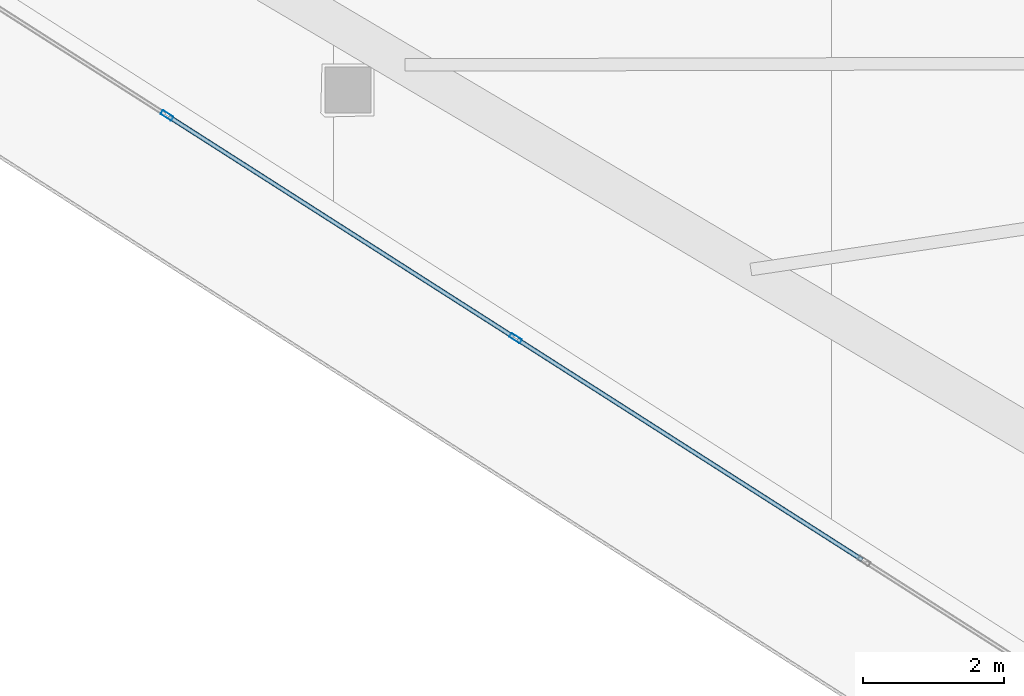
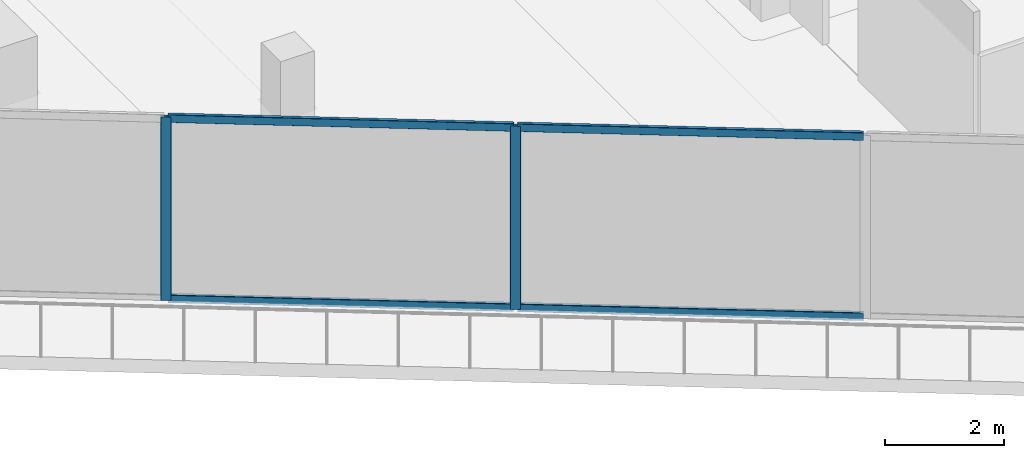
# One storey, part 4 of 36: 6 members, 1 element without a shape of its own.
"""IFC4 building model written with IfcOpenShell, lengths in metres."""

import ifcopenshell
import ifcopenshell.guid

model = None  # the IFC model being written
_history = None  # IfcOwnerHistory: only IFC2X3 demands one
_inside = {}  # id of a spatial element -> (the spatial element, [elements in it])
_under = {}  # id of a project, library or spatial element -> (it, [spatial elements below it])
_declared = {}  # id of a project -> (the project, [libraries it declares])
_typed = {}  # id of a type object -> (the type object, [elements of that type])
_made_of = {}  # id of a material, layer set ... -> (it, [elements and type objects made of it])


def new_model(schema):
    """Start an empty IFC model of exactly this schema.

    Asked for "IFC4X3", IfcOpenShell would pick the latest addendum, in which some entities
    have other attributes; the version numbers below select the first issue.
    IFC2X3 requires an IfcOwnerHistory on every rooted entity: one is made here for all.
    """
    global model, _history
    if schema == "IFC4X3":
        model = ifcopenshell.file(schema_version=(4, 3, 0, 0))
    else:
        model = ifcopenshell.file(schema=schema)
    _inside.clear()
    _under.clear()
    _declared.clear()
    _typed.clear()
    _made_of.clear()
    _history = None
    if model.schema == "IFC2X3":
        org = make("IfcOrganization", Name="unknown")
        user = make(
            "IfcPersonAndOrganization",
            ThePerson=make("IfcPerson", FamilyName="unknown"),
            TheOrganization=org,
        )
        app = make(
            "IfcApplication",
            ApplicationDeveloper=org,
            Version="unknown",
            ApplicationFullName="unknown",
            ApplicationIdentifier="unknown",
        )
        _history = make(
            "IfcOwnerHistory",
            OwningUser=user,
            OwningApplication=app,
            ChangeAction="ADDED",
            CreationDate=0,
        )
    return model


def make(cls, **values):
    """One entity of the class cls with the attributes given. An attribute that is None is left unset."""
    return model.create_entity(
        cls, **{name: value for name, value in values.items() if value is not None}
    )


def rooted(cls, **values):
    """An entity with a GlobalId (a new one), such as an element, a storey or a relation."""
    return make(cls, GlobalId=ifcopenshell.guid.new(), OwnerHistory=_history, **values)


def si_unit(unit_type, name, prefix=None):
    """IfcSIUnit, for example si_unit("LENGTHUNIT", "METRE", prefix="MILLI")."""
    return make("IfcSIUnit", UnitType=unit_type, Prefix=prefix, Name=name)


def assignment(units):
    """IfcUnitAssignment: the units of a project."""
    return None if units is None else make("IfcUnitAssignment", Units=units)


def point(xyz):
    """IfcCartesianPoint."""
    return None if xyz is None else make("IfcCartesianPoint", Coordinates=xyz)


def direction(xyz):
    """IfcDirection."""
    return None if xyz is None else make("IfcDirection", DirectionRatios=xyz)


def frame(location, z_axis=None, x_axis=None):
    """IfcAxis2Placement3D, a coordinate frame: its origin and axes. An axis left out is left unset."""
    return make(
        "IfcAxis2Placement3D",
        Location=point(location),
        Axis=direction(z_axis),
        RefDirection=direction(x_axis),
    )


def frame_2d(location, x_axis=None):
    """IfcAxis2Placement2D, a coordinate frame in the plane: its origin and x axis."""
    return make(
        "IfcAxis2Placement2D", Location=point(location), RefDirection=direction(x_axis)
    )


def origin():
    """The frame at (0, 0, 0) with its axes left unset."""
    return frame((0.0, 0.0, 0.0))


def origin_2d():
    """The frame at (0, 0) in the plane with its x axis left unset."""
    return frame_2d((0.0, 0.0))


def place(relative_to, where):
    """IfcLocalPlacement: puts the frame where relative to a parent placement (None: the world)."""
    return make(
        "IfcLocalPlacement", PlacementRelTo=relative_to, RelativePlacement=where
    )


def context(
    kind, dimensions, precision=None, world=None, true_north=None, identifier=None
):
    """IfcGeometricRepresentationContext, for example the 3D "Model" context."""
    return make(
        "IfcGeometricRepresentationContext",
        ContextIdentifier=identifier,
        ContextType=kind,
        CoordinateSpaceDimension=dimensions,
        Precision=precision,
        WorldCoordinateSystem=world,
        TrueNorth=true_north,
    )


def subcontext(parent, identifier, kind, view, scale=None):
    """IfcGeometricRepresentationSubContext, for example "Body" below "Model"."""
    return make(
        "IfcGeometricRepresentationSubContext",
        ContextIdentifier=identifier,
        ContextType=kind,
        ParentContext=parent,
        TargetScale=scale,
        TargetView=view,
    )


def project(units=None, contexts=None):
    """IfcProject with its units and contexts."""
    return rooted(
        "IfcProject",
        Name="project",
        RepresentationContexts=contexts,
        UnitsInContext=assignment(units),
    )


def spatial(cls, under=None, at=None, **own):
    """A site, building, storey or space (cls), placed at a placement, below another one or the project."""
    s = rooted(cls, ObjectPlacement=at, **own)
    if under is not None:
        _under.setdefault(under.id(), (under, []))[1].append(s)
    return s


def profile(cls, at=None, kind="AREA", **sizes):
    """A parametric profile (cls). Its sizes go by their IFC names, for example OverallWidth=200.0."""
    return make(cls, ProfileType=kind, Position=at, **sizes)


def hollow_rectangle(**sizes):
    """IfcRectangleHollowProfileDef."""
    return profile("IfcRectangleHollowProfileDef", **sizes)


def extrude(swept, where, along, depth):
    """IfcExtrudedAreaSolid: the profile swept, set in the frame where, extruded along a direction by depth."""
    return make(
        "IfcExtrudedAreaSolid",
        SweptArea=swept,
        Position=where,
        ExtrudedDirection=direction(along),
        Depth=depth,
    )


def shape(context_of_items, identifier, shape_type, items):
    """IfcShapeRepresentation: the items that make up one representation, for example the "Body"."""
    return make(
        "IfcShapeRepresentation",
        ContextOfItems=context_of_items,
        RepresentationIdentifier=identifier,
        RepresentationType=shape_type,
        Items=items,
    )


def material(Name=None, Category=None):
    """IfcMaterial."""
    return make("IfcMaterial", Name=Name, Category=Category)


def layer(
    of_material, thickness, ventilated=None, Name=None, Category=None, Priority=None
):
    """IfcMaterialLayer: one layer of a wall or slab, of a material (None: an air gap)."""
    return make(
        "IfcMaterialLayer",
        Material=of_material,
        LayerThickness=thickness,
        IsVentilated=ventilated,
        Name=Name,
        Category=Category,
        Priority=Priority,
    )


def layer_set(layers, Name=None):
    """IfcMaterialLayerSet."""
    return make("IfcMaterialLayerSet", MaterialLayers=layers, LayerSetName=Name)


def material_profile(
    of_material, cross_section, Name=None, Category=None, Priority=None
):
    """IfcMaterialProfile: a cross section and its material."""
    return make(
        "IfcMaterialProfile",
        Name=Name,
        Material=of_material,
        Profile=cross_section,
        Priority=Priority,
        Category=Category,
    )


def profile_set(profiles, Name=None, composite=None):
    """IfcMaterialProfileSet."""
    return make(
        "IfcMaterialProfileSet",
        Name=Name,
        MaterialProfiles=profiles,
        CompositeProfile=composite,
    )


def made_of(thing, what):
    """Note that an element or type object is made of a material, layer set ...; save() writes the relation."""
    if what is not None:
        _made_of.setdefault(what.id(), (what, []))[1].append(thing)
    return thing


def type_object(cls, material=None, **own):
    """A type object (cls), such as IfcWallType, which elements share."""
    return made_of(rooted(cls, **own), material)


def element(
    cls,
    number,
    at=None,
    inside=None,
    cuts=None,
    type_object=None,
    material=None,
    context=None,
    identifier="Body",
    shape_type=None,
    held_by="IfcProductDefinitionShape",
    body=None,
    shapes=None,
    **own,
):
    """One element of the class cls, such as IfcWall. Its Tag is "e" and its number.

    at: its placement. inside: the storey or other place that contains it. cuts: it is an
    opening in that element (IfcRelVoidsElement). A single representation is given by context,
    identifier, shape_type and body (its items); several are given by shapes. held_by: the class
    of the entity that holds the representations. save() writes the other relations.
    """
    e = rooted(cls, Tag="e%d" % number, ObjectPlacement=at, **own)
    if body is not None:
        shapes = [shape(context, identifier, shape_type, body)]
    if shapes is not None:
        e.Representation = make(held_by, Representations=shapes)
    if inside is not None:
        _inside.setdefault(inside.id(), (inside, []))[1].append(e)
    if cuts is not None:
        rooted(
            "IfcRelVoidsElement", RelatingBuildingElement=cuts, RelatedOpeningElement=e
        )
    if type_object is not None:
        _typed.setdefault(type_object.id(), (type_object, []))[1].append(e)
    return made_of(e, material)


def aggregate(whole, parts):
    """IfcRelAggregates: a whole, such as a stair, and the parts it consists of."""
    return rooted("IfcRelAggregates", RelatingObject=whole, RelatedObjects=parts)


def save(model, path):
    """Write the relations noted so far, then the file.

    IfcRelAggregates (storeys below a building ...), IfcRelContainedInSpatialStructure (elements
    in a storey), IfcRelDefinesByType, IfcRelAssociatesMaterial and IfcRelDeclares: one each for
    every whole, place, type object, material and project.
    """
    for whole, parts in _under.values():
        aggregate(whole, parts)
    for where, things in _inside.values():
        rooted(
            "IfcRelContainedInSpatialStructure",
            RelatedElements=things,
            RelatingStructure=where,
        )
    for kind, things in _typed.values():
        rooted("IfcRelDefinesByType", RelatedObjects=things, RelatingType=kind)
    for what, things in _made_of.values():
        rooted("IfcRelAssociatesMaterial", RelatedObjects=things, RelatingMaterial=what)
    for by, libraries in _declared.values():
        rooted("IfcRelDeclares", RelatingContext=by, RelatedDefinitions=libraries)
    model.write(path)


model = new_model("IFC4")

# Units and contexts
model_context = context("Model", 3, precision=1e-05, world=origin(), true_north=direction((0.0, 1.0)))
body_context = subcontext(model_context, "Body", "Model", "MODEL_VIEW")
ifc_project = project(units=[si_unit("LENGTHUNIT", "METRE"), si_unit("AREAUNIT", "SQUARE_METRE"), si_unit("VOLUMEUNIT", "CUBIC_METRE"), si_unit("PLANEANGLEUNIT", "RADIAN"), si_unit("MASSUNIT", "GRAM", prefix="KILO")], contexts=[model_context])

# Site, building, storey
site_placement = place(None, origin())
site = spatial("IfcSite", under=ifc_project, at=site_placement, CompositionType="ELEMENT")
building_placement = place(site_placement, origin())
building = spatial("IfcBuilding", under=site, at=building_placement, Name="Qorvath Tower", CompositionType="ELEMENT")
storey_placement = place(building_placement, frame((0.0, 0.0, 170.550048828125)))
storey = spatial("IfcBuildingStorey", under=building, at=storey_placement, Name="L39", CompositionType="ELEMENT", Elevation=170.550048828125)

# Curtain wall, members
ifc_material_1 = material(Name="Anodised aluminium and triple low-E glass", Category="aluminium")
ifc_layer = layer(ifc_material_1, 0.179931640625)
ifc_layer_set = layer_set([ifc_layer], Name="CW-SYS-3")
curtain_wall_type = type_object("IfcCurtainWallType", Name="CW-SYS-3", PredefinedType="NOTDEFINED", material=ifc_layer_set)
curtain_wall_placement = place(storey_placement, origin())
curtain_wall = element("IfcCurtainWall", 1, at=curtain_wall_placement, inside=storey, type_object=curtain_wall_type, Name="Curtain Wall CW-3 CW-T-L39-2.1", PredefinedType="NOTDEFINED")
ifc_material_2 = material(Name="Anodised aluminium 6063-T6", Category="aluminium")
ifc_material_profile_1 = material_profile(ifc_material_2, hollow_rectangle(XDim=0.06494140625, YDim=0.179931640625, WallThickness=0.00341796875, InnerFilletRadius=0.00341796875, OuterFilletRadius=0.007080078125, at=origin_2d()), Name="CWM 180x65")
ifc_profile_set_1 = profile_set([ifc_material_profile_1], Name="Anodised aluminium 6063-T6")
member_type_1 = type_object("IfcMemberType", Name="CWM-180", PredefinedType="MULLION", material=ifc_profile_set_1)
member_1_placement = place(storey_placement, frame((-51.14208984375, -6.787353515625, 0.0), z_axis=(0.0, 0.0, 1.0), x_axis=(0.538529198867, 0.842606848992, 0.0)))
member_1 = element("IfcMember", 2, at=member_1_placement, type_object=member_type_1, Name="CW-3 mullion 2", PredefinedType="MULLION", context=body_context, shape_type="SweptSolid", body=[
    extrude(hollow_rectangle(XDim=0.06494140625, YDim=0.179931640625, WallThickness=0.00341796875, InnerFilletRadius=0.00341796875, OuterFilletRadius=0.007080078125, at=origin_2d()), origin(), (0.0, 0.0, 1.0), 3.75),
])
member_2_placement = place(storey_placement, frame((-46.203125, -9.94384765625, 0.0), z_axis=(0.0, 0.0, 1.0), x_axis=(0.538529198867, 0.842606848992, 0.0)))
member_2 = element("IfcMember", 3, at=member_2_placement, type_object=member_type_1, Name="CW-3 mullion 3", PredefinedType="MULLION", context=body_context, shape_type="SweptSolid", body=[
    extrude(hollow_rectangle(XDim=0.06494140625, YDim=0.179931640625, WallThickness=0.00341796875, InnerFilletRadius=0.00341796875, OuterFilletRadius=0.007080078125, at=origin_2d()), origin(), (0.0, 0.0, 1.0), 3.75),
])
ifc_material_3 = material(Name="Anodised aluminium 6063-T6", Category="aluminium")
ifc_material_profile_2 = material_profile(ifc_material_3, hollow_rectangle(XDim=0.06494140625, YDim=0.159912109375, WallThickness=0.00341796875, InnerFilletRadius=0.00341796875, OuterFilletRadius=0.007080078125, at=origin_2d()), Name="CWT 160x65")
ifc_profile_set_2 = profile_set([ifc_material_profile_2], Name="Anodised aluminium 6063-T6")
member_type_2 = type_object("IfcMemberType", Name="CWT-160", PredefinedType="USERDEFINED", material=ifc_profile_set_2)
member_3_placement = place(storey_placement, frame((-51.11474609375, -6.8046875, 0.032470703125), z_axis=(0.842612382874, -0.538520540209, 0.0), x_axis=(0.538520540209, 0.842612382874, 0.0)))
member_3 = element("IfcMember", 4, at=member_3_placement, type_object=member_type_2, Name="CW-3 transom 2.1", ObjectType="TRANSOM", PredefinedType="USERDEFINED", context=body_context, shape_type="SweptSolid", body=[
    extrude(hollow_rectangle(XDim=0.06494140625, YDim=0.159912109375, WallThickness=0.00341796875, InnerFilletRadius=0.00341796875, OuterFilletRadius=0.007080078125, at=origin_2d()), origin(), (0.0, 0.0, 1.0), 5.796630859375),
])
member_4_placement = place(storey_placement, frame((-51.11474609375, -6.8046875, 3.717529296875), z_axis=(0.842612382874, -0.538520540209, 0.0), x_axis=(0.538520540209, 0.842612382874, 0.0)))
member_4 = element("IfcMember", 5, at=member_4_placement, type_object=member_type_2, Name="CW-3 transom 2.2", ObjectType="TRANSOM", PredefinedType="USERDEFINED", context=body_context, shape_type="SweptSolid", body=[
    extrude(hollow_rectangle(XDim=0.06494140625, YDim=0.159912109375, WallThickness=0.00341796875, InnerFilletRadius=0.00341796875, OuterFilletRadius=0.007080078125, at=origin_2d()), origin(), (0.0, 0.0, 1.0), 5.796630859375),
])
member_5_placement = place(storey_placement, frame((-46.17578125, -9.96142578125, 0.032470703125), z_axis=(0.842612382874, -0.538520540209, 0.0), x_axis=(0.538520540209, 0.842612382874, 0.0)))
member_5 = element("IfcMember", 6, at=member_5_placement, type_object=member_type_2, Name="CW-3 transom 3.1", ObjectType="TRANSOM", PredefinedType="USERDEFINED", context=body_context, shape_type="SweptSolid", body=[
    extrude(hollow_rectangle(XDim=0.06494140625, YDim=0.159912109375, WallThickness=0.00341796875, InnerFilletRadius=0.00341796875, OuterFilletRadius=0.007080078125, at=origin_2d()), origin(), (0.0, 0.0, 1.0), 5.796630859375),
])
member_6_placement = place(storey_placement, frame((-46.17578125, -9.96142578125, 3.717529296875), z_axis=(0.842612382874, -0.538520540209, 0.0), x_axis=(0.538520540209, 0.842612382874, 0.0)))
member_6 = element("IfcMember", 7, at=member_6_placement, type_object=member_type_2, Name="CW-3 transom 3.2", ObjectType="TRANSOM", PredefinedType="USERDEFINED", context=body_context, shape_type="SweptSolid", body=[
    extrude(hollow_rectangle(XDim=0.06494140625, YDim=0.159912109375, WallThickness=0.00341796875, InnerFilletRadius=0.00341796875, OuterFilletRadius=0.007080078125, at=origin_2d()), origin(), (0.0, 0.0, 1.0), 5.796630859375),
])
aggregate(curtain_wall, [member_1, member_2, member_3, member_4, member_5, member_6])

save(model, "model.ifc")
